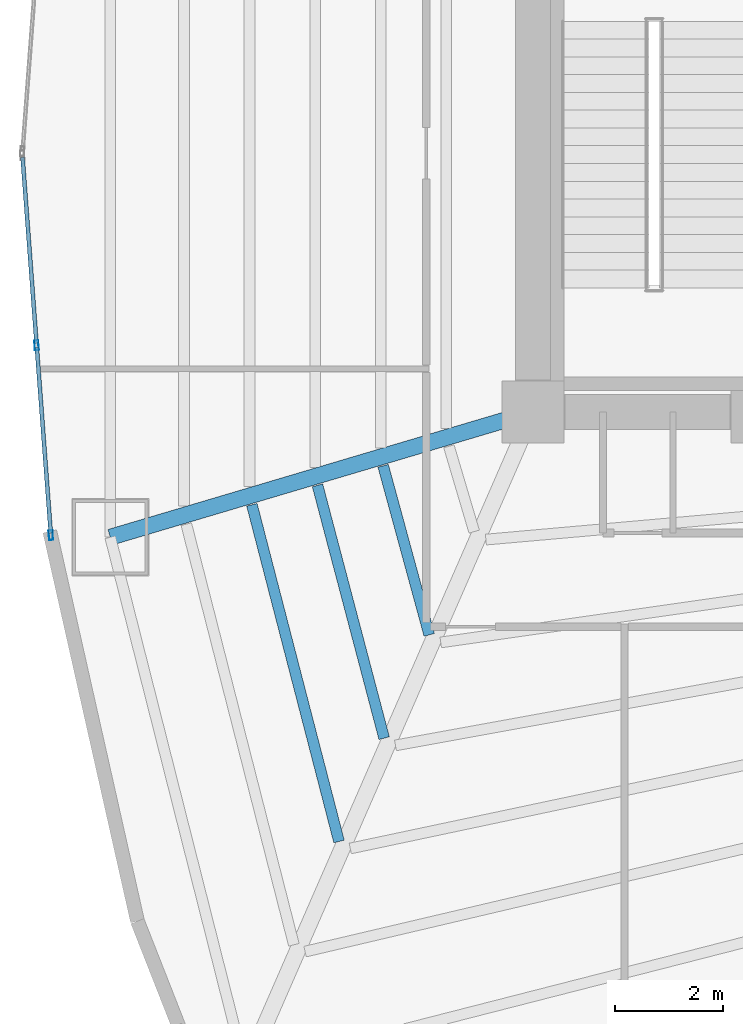
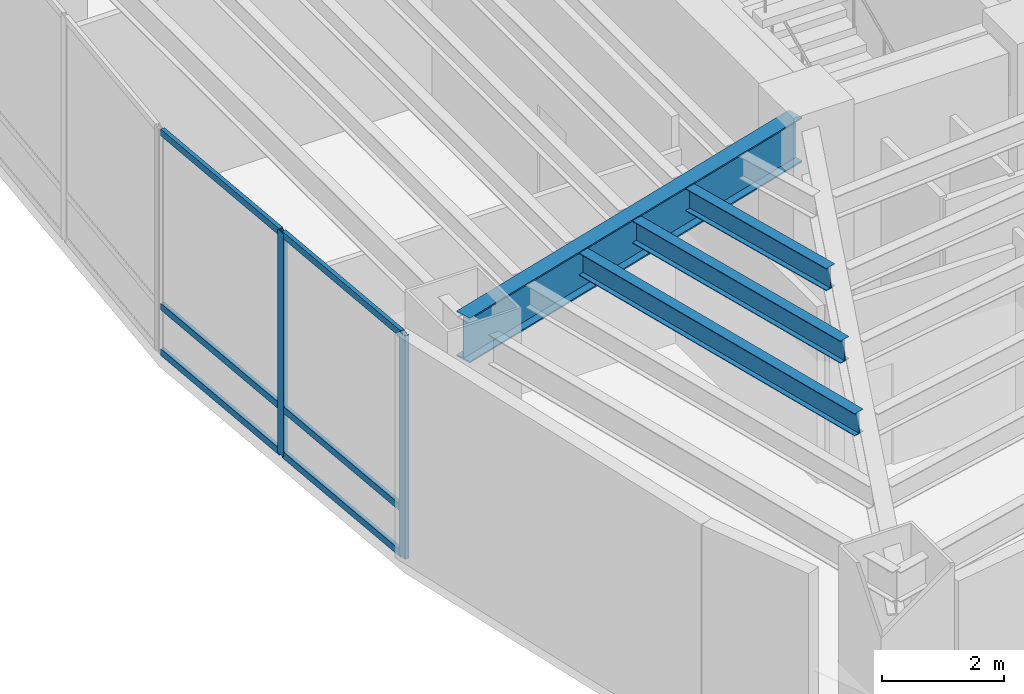
# One storey, part 3 of 18: 8 members, 4 beams, 1 element without a shape of its own.
"""IFC4 building model written with IfcOpenShell, lengths in metres."""

from ifc_helpers import new_model, si_unit, direction, frame, origin, origin_2d, place, context, subcontext, project, spatial, hollow_rectangle, i_section, extrude, material, layer, layer_set, material_profile, profile_set, type_object, element, aggregate, save


model = new_model("IFC4")

# Units and contexts
model_context = context("Model", 3, precision=1e-05, world=origin(), true_north=direction((0.0, 1.0)))
body_context = subcontext(model_context, "Body", "Model", "MODEL_VIEW")
ifc_project = project(units=[si_unit("LENGTHUNIT", "METRE"), si_unit("AREAUNIT", "SQUARE_METRE"), si_unit("VOLUMEUNIT", "CUBIC_METRE"), si_unit("PLANEANGLEUNIT", "RADIAN"), si_unit("MASSUNIT", "GRAM", prefix="KILO")], contexts=[model_context])

# Site, building, storey
site_placement = place(None, origin())
site = spatial("IfcSite", under=ifc_project, at=site_placement, CompositionType="ELEMENT")
building_placement = place(site_placement, origin())
building = spatial("IfcBuilding", under=site, at=building_placement, Name="Menara Vayukalpa", CompositionType="ELEMENT")
storey_placement = place(building_placement, frame((0.0, 0.0, 18.0)))
storey = spatial("IfcBuildingStorey", under=building, at=storey_placement, Name="L03", CompositionType="ELEMENT", Elevation=18.0)

# Beams
ifc_material_1 = material(Name="Steel S355", Category="steel")
ifc_material_profile_1 = material_profile(ifc_material_1, i_section(OverallWidth=0.300048828125, OverallDepth=0.89990234375, WebThickness=0.01611328125, FlangeThickness=0.028076171875, at=origin_2d()), Name="WF 900x300x16x28")
ifc_profile_set_1 = profile_set([ifc_material_profile_1], Name="Steel S355")
beam_type_1 = type_object("IfcBeamType", Name="BM-PG1", PredefinedType="BEAM", material=ifc_profile_set_1)
beam_1_placement = place(storey_placement, frame((17.560302734375, 17.12890625, 4.030029296875), z_axis=(-0.958678858065, -0.284490504409, 0.0), x_axis=(0.284490504409, -0.958678858065, 0.0)))
element("IfcBeam", 1, at=beam_1_placement, inside=storey, type_object=beam_type_1, Name="L03 Primary Radial Girder RG06", PredefinedType="BEAM", context=body_context, shape_type="SweptSolid", body=[
    extrude(i_section(OverallWidth=0.300048828125, OverallDepth=0.89990234375, WebThickness=0.01611328125, FlangeThickness=0.028076171875, at=origin_2d()), origin(), (0.0, 0.0, 1.0), 7.936279296875),
])
ifc_material_2 = material(Name="Steel S355", Category="steel")
ifc_material_profile_2 = material_profile(ifc_material_2, i_section(OverallWidth=0.199951171875, OverallDepth=0.449951171875, WebThickness=0.009033203125, FlangeThickness=0.013916015625, at=origin_2d()), Name="WF 450x200x9x14")
ifc_profile_set_2 = profile_set([ifc_material_profile_2], Name="Steel S355")
beam_type_2 = type_object("IfcBeamType", Name="BM-SJ1", PredefinedType="JOIST", material=ifc_profile_set_2)
beam_2_placement = place(storey_placement, frame((15.018310546875, 16.197265625, 4.2548828125), z_axis=(0.262945960317, -0.964810562729, 0.0), x_axis=(0.964810562729, 0.262945960317, 0.0)))
element("IfcBeam", 2, at=beam_2_placement, inside=storey, type_object=beam_type_2, Name="L03 Secondary Floor Joist SJ06-2", PredefinedType="JOIST", context=body_context, shape_type="SweptSolid", body=[
    extrude(i_section(OverallWidth=0.199951171875, OverallDepth=0.449951171875, WebThickness=0.009033203125, FlangeThickness=0.013916015625, at=origin_2d()), origin(), (0.0, 0.0, 1.0), 3.25341796875),
])
beam_3_placement = place(storey_placement, frame((13.799560546875, 15.835693359375, 4.2548828125), z_axis=(0.254819975699, -0.966988510782, 0.0), x_axis=(0.966988510782, 0.254819975699, 0.0)))
element("IfcBeam", 3, at=beam_3_placement, inside=storey, type_object=beam_type_2, Name="L03 Secondary Floor Joist SJ06-3", PredefinedType="JOIST", context=body_context, shape_type="SweptSolid", body=[
    extrude(i_section(OverallWidth=0.199951171875, OverallDepth=0.449951171875, WebThickness=0.009033203125, FlangeThickness=0.013916015625, at=origin_2d()), origin(), (0.0, 0.0, 1.0), 4.855712890625),
])
beam_4_placement = place(storey_placement, frame((12.581298828125, 15.47412109375, 4.2548828125), z_axis=(0.250533111623, -0.968108031152, 0.0), x_axis=(0.968108031152, 0.250533111623, 0.0)))
element("IfcBeam", 4, at=beam_4_placement, inside=storey, type_object=beam_type_2, Name="L03 Secondary Floor Joist SJ06-4", PredefinedType="JOIST", context=body_context, shape_type="SweptSolid", body=[
    extrude(i_section(OverallWidth=0.199951171875, OverallDepth=0.449951171875, WebThickness=0.009033203125, FlangeThickness=0.013916015625, at=origin_2d()), origin(), (0.0, 0.0, 1.0), 6.4580078125),
])

# Curtain wall, members
ifc_material_3 = material(Name="Anodised Terracotta Aluminium Alloy 6063-T6", Category="masonry")
ifc_layer = layer(ifc_material_3, 0.179931640625)
ifc_layer_set = layer_set([ifc_layer], Name="Anodised Terracotta Aluminium Alloy 6063-T6")
curtain_wall_type = type_object("IfcCurtainWallType", Name="CW-CW1", PredefinedType="USERDEFINED", material=ifc_layer_set)
curtain_wall_placement = place(storey_placement, origin())
curtain_wall = element("IfcCurtainWall", 5, at=curtain_wall_placement, inside=storey, type_object=curtain_wall_type, Name="L03 Podium Unitised Ribbon Curtain Wall CW1 11", ObjectType="UNITISED", PredefinedType="USERDEFINED")
ifc_material_4 = material(Name="Anodised Terracotta Aluminium Alloy 6063-T6", Category="masonry")
ifc_material_profile_3 = material_profile(ifc_material_4, hollow_rectangle(XDim=0.074951171875, YDim=0.179931640625, WallThickness=0.00390625, at=origin_2d()), Name="ALU 75x180x4")
ifc_profile_set_3 = profile_set([ifc_material_profile_3], Name="Anodised Terracotta Aluminium Alloy 6063-T6")
member_type_1 = type_object("IfcMemberType", Name="CWM-CW1", PredefinedType="MULLION", material=ifc_profile_set_3)
member_1_placement = place(storey_placement, frame((8.584716796875, 18.435546875, 0.0), z_axis=(0.0, 0.0, 1.0), x_axis=(0.997198970825, 0.074794468953, 0.0)))
member_1 = element("IfcMember", 6, at=member_1_placement, type_object=member_type_1, Name="CW1 mullion 2", PredefinedType="MULLION", context=body_context, shape_type="SweptSolid", body=[
    extrude(hollow_rectangle(XDim=0.074951171875, YDim=0.179931640625, WallThickness=0.00390625, at=origin_2d()), origin(), (0.0, 0.0, 1.0), 4.47998046875),
])
member_2_placement = place(storey_placement, frame((8.84912109375, 14.908447265625, 0.0), z_axis=(0.0, 0.0, 1.0), x_axis=(0.997198970825, 0.074794468953, 0.0)))
member_2 = element("IfcMember", 7, at=member_2_placement, type_object=member_type_1, Name="CW1 mullion 3", PredefinedType="MULLION", context=body_context, shape_type="SweptSolid", body=[
    extrude(hollow_rectangle(XDim=0.074951171875, YDim=0.179931640625, WallThickness=0.00390625, at=origin_2d()), origin(), (0.0, 0.0, 1.0), 4.47998046875),
])
ifc_material_5 = material(Name="Anodised Terracotta Aluminium Alloy 6063-T6", Category="masonry")
ifc_material_profile_4 = material_profile(ifc_material_5, hollow_rectangle(XDim=0.074951171875, YDim=0.135009765625, WallThickness=0.00390625, at=origin_2d()), Name="ALU 75x135x4")
ifc_profile_set_4 = profile_set([ifc_material_profile_4], Name="Anodised Terracotta Aluminium Alloy 6063-T6")
member_type_2 = type_object("IfcMemberType", Name="CWT-CW1", PredefinedType="USERDEFINED", material=ifc_profile_set_4)
member_3_placement = place(storey_placement, frame((8.322998046875, 21.92529296875, 0.03759765625), z_axis=(0.074749626841, -0.997202333174, 0.0), x_axis=(0.997202333174, 0.074749626841, 0.0)))
member_3 = element("IfcMember", 8, at=member_3_placement, type_object=member_type_2, Name="CW1 transom 1.1", ObjectType="TRANSOM", PredefinedType="USERDEFINED", context=body_context, shape_type="SweptSolid", body=[
    extrude(hollow_rectangle(XDim=0.074951171875, YDim=0.135009765625, WallThickness=0.00390625, at=origin_2d()), origin(), (0.0, 0.0, 1.0), 3.462158203125),
])
member_4_placement = place(storey_placement, frame((8.322998046875, 21.92529296875, 0.949951171875), z_axis=(0.074749626841, -0.997202333174, 0.0), x_axis=(0.997202333174, 0.074749626841, 0.0)))
member_4 = element("IfcMember", 9, at=member_4_placement, type_object=member_type_2, Name="CW1 transom 1.2", ObjectType="TRANSOM", PredefinedType="USERDEFINED", context=body_context, shape_type="SweptSolid", body=[
    extrude(hollow_rectangle(XDim=0.074951171875, YDim=0.135009765625, WallThickness=0.00390625, at=origin_2d()), origin(), (0.0, 0.0, 1.0), 3.462158203125),
])
member_5_placement = place(storey_placement, frame((8.322998046875, 21.92529296875, 4.4423828125), z_axis=(0.074749626841, -0.997202333174, 0.0), x_axis=(0.997202333174, 0.074749626841, 0.0)))
member_5 = element("IfcMember", 10, at=member_5_placement, type_object=member_type_2, Name="CW1 transom 1.3", ObjectType="TRANSOM", PredefinedType="USERDEFINED", context=body_context, shape_type="SweptSolid", body=[
    extrude(hollow_rectangle(XDim=0.074951171875, YDim=0.135009765625, WallThickness=0.00390625, at=origin_2d()), origin(), (0.0, 0.0, 1.0), 3.462158203125),
])
member_6_placement = place(storey_placement, frame((8.58740234375, 18.398193359375, 0.03759765625), z_axis=(0.07481975078, -0.99719707425, 0.0), x_axis=(0.99719707425, 0.07481975078, 0.0)))
member_6 = element("IfcMember", 11, at=member_6_placement, type_object=member_type_2, Name="CW1 transom 2.1", ObjectType="TRANSOM", PredefinedType="USERDEFINED", context=body_context, shape_type="SweptSolid", body=[
    extrude(hollow_rectangle(XDim=0.074951171875, YDim=0.135009765625, WallThickness=0.00390625, at=origin_2d()), origin(), (0.0, 0.0, 1.0), 3.462158203125),
])
member_7_placement = place(storey_placement, frame((8.58740234375, 18.398193359375, 0.949951171875), z_axis=(0.07481975078, -0.99719707425, 0.0), x_axis=(0.99719707425, 0.07481975078, 0.0)))
member_7 = element("IfcMember", 12, at=member_7_placement, type_object=member_type_2, Name="CW1 transom 2.2", ObjectType="TRANSOM", PredefinedType="USERDEFINED", context=body_context, shape_type="SweptSolid", body=[
    extrude(hollow_rectangle(XDim=0.074951171875, YDim=0.135009765625, WallThickness=0.00390625, at=origin_2d()), origin(), (0.0, 0.0, 1.0), 3.462158203125),
])
member_8_placement = place(storey_placement, frame((8.58740234375, 18.398193359375, 4.4423828125), z_axis=(0.07481975078, -0.99719707425, 0.0), x_axis=(0.99719707425, 0.07481975078, 0.0)))
member_8 = element("IfcMember", 13, at=member_8_placement, type_object=member_type_2, Name="CW1 transom 2.3", ObjectType="TRANSOM", PredefinedType="USERDEFINED", context=body_context, shape_type="SweptSolid", body=[
    extrude(hollow_rectangle(XDim=0.074951171875, YDim=0.135009765625, WallThickness=0.00390625, at=origin_2d()), origin(), (0.0, 0.0, 1.0), 3.462158203125),
])
aggregate(curtain_wall, [member_1, member_2, member_3, member_4, member_5, member_6, member_7, member_8])

save(model, "model.ifc")
